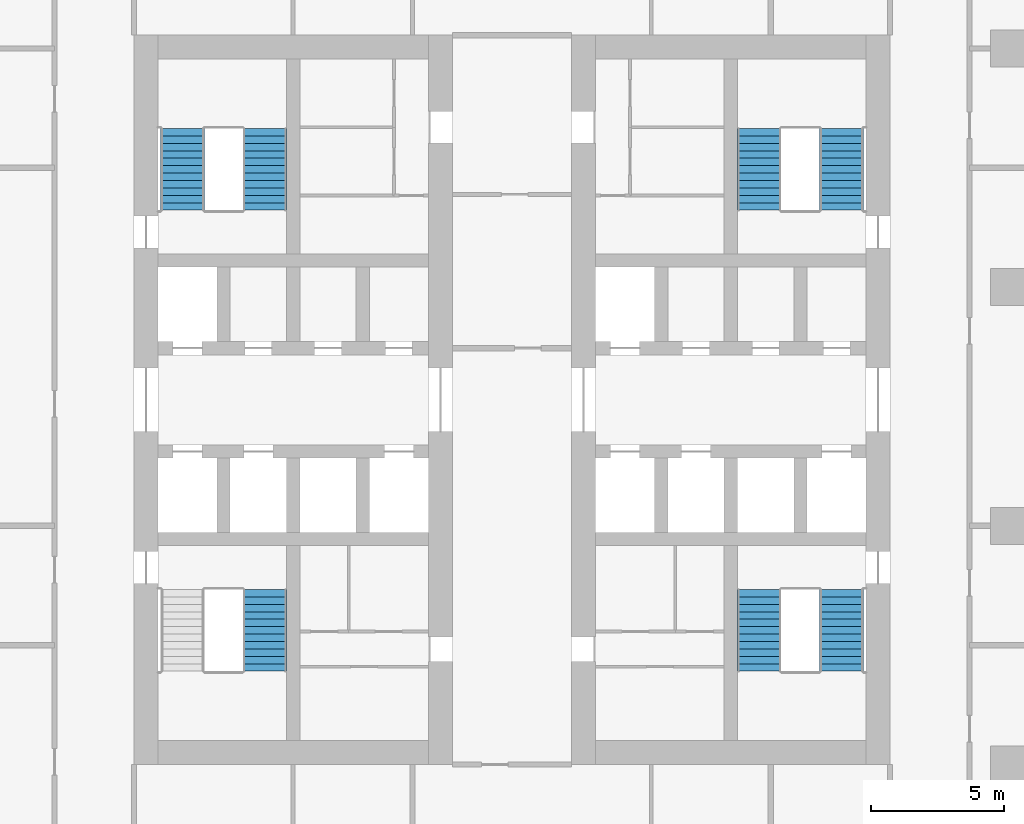
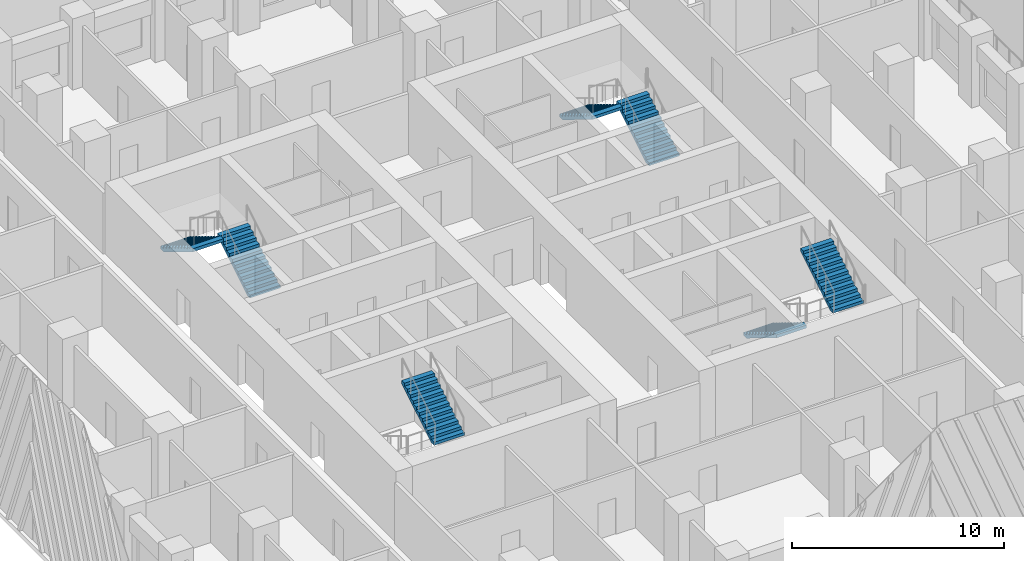
# One storey, part 10 of 20: 7 stair flights, 4 elements without a shape of their own.
"""IFC4 building model written with IfcOpenShell, lengths in metres."""

from ifc_helpers import new_model, si_unit, direction, frame, origin, place, context, subcontext, project, spatial, polyline, outline, extrude, material, type_object, element, aggregate, save


model = new_model("IFC4")

# Units and contexts
model_context = context("Model", 3, precision=1e-05, world=origin(), true_north=direction((0.0, 1.0)))
body_context = subcontext(model_context, "Body", "Model", "MODEL_VIEW")
ifc_project = project(units=[si_unit("LENGTHUNIT", "METRE"), si_unit("AREAUNIT", "SQUARE_METRE"), si_unit("VOLUMEUNIT", "CUBIC_METRE"), si_unit("PLANEANGLEUNIT", "RADIAN"), si_unit("MASSUNIT", "GRAM", prefix="KILO")], contexts=[model_context])

# Site, building, storey
site_placement = place(None, origin())
site = spatial("IfcSite", under=ifc_project, at=site_placement, CompositionType="ELEMENT")
building_placement = place(site_placement, origin())
building = spatial("IfcBuilding", under=site, at=building_placement, Name="Corbel Stack Research Tower", CompositionType="ELEMENT")
storey_placement = place(building_placement, frame((0.0, 0.0, 106.60009765625)))
storey = spatial("IfcBuildingStorey", under=building, at=storey_placement, Name="L24", CompositionType="ELEMENT", Elevation=106.60009765625)

# Stair, stair flight
ifc_material_1 = material(Name="Concrete C40/50", Category="concrete")
stair_type = type_object("IfcStairType", Name="Exit stair 24 risers", PredefinedType="HALF_TURN_STAIR", material=ifc_material_1)
stair_1_placement = place(storey_placement, origin())
stair_1 = element("IfcStair", 1, at=stair_1_placement, inside=storey, type_object=stair_type, Name="L24 Exit stair ST-W1", PredefinedType="HALF_TURN_STAIR")
ifc_material_2 = material(Name="Concrete C40/50", Category="concrete")
stair_flight_type = type_object("IfcStairFlightType", Name="Stair flight 12 risers", PredefinedType="STRAIGHT", material=ifc_material_2)
stair_flight_1_placement = place(storey_placement, frame((-5.574951171875, -5.47998046875, 2.0498046875), z_axis=(0.0, 0.0, 1.0), x_axis=(0.0, 1.0, 0.0)))
stair_flight_1 = element("IfcStairFlight", 2, at=stair_flight_1_placement, type_object=stair_flight_type, Name="ST-W1 flight 2", NumberOfRisers=12, NumberOfTreads=11, PredefinedType="STRAIGHT", RiserHeight=0.170833333, TreadLength=0.28, context=body_context, shape_type="SweptSolid", body=[
    extrude(outline(polyline([(0.0, 0.0), (0.0, 0.1708984375), (0.280029296875, 0.1708984375), (0.280029296875, 0.341552734375), (0.56005859375, 0.341552734375), (0.56005859375, 0.512451171875), (0.840087890625, 0.512451171875), (0.840087890625, 0.683349609375), (1.1201171875, 0.683349609375), (1.1201171875, 0.854248046875), (1.39990234375, 0.854248046875), (1.39990234375, 1.02490234375), (1.679931640625, 1.02490234375), (1.679931640625, 1.19580078125), (1.9599609375, 1.19580078125), (1.9599609375, 1.36669921875), (2.239990234375, 1.36669921875), (2.239990234375, 1.53759765625), (2.52001953125, 1.53759765625), (2.52001953125, 1.708251953125), (2.800048828125, 1.708251953125), (2.800048828125, 1.879150390625), (3.080078125, 1.879150390625), (3.080078125, 2.050048828125), (3.080078125, 1.70361328125), (0.287841796875, 0.0), (0.0, 0.0)])), frame((0.0, 0.824951171875, 0.0), z_axis=(0.0, -1.0, 0.0), x_axis=(1.0, 0.0, 0.0)), (0.0, 0.0, 1.0), 1.64990234375),
])
aggregate(stair_1, [stair_flight_1])

# Stair, stair flights
stair_2_placement = place(storey_placement, origin())
stair_2 = element("IfcStair", 3, at=stair_2_placement, inside=storey, type_object=stair_type, Name="L24 Exit stair ST-W2", PredefinedType="HALF_TURN_STAIR")
stair_flight_2_placement = place(storey_placement, frame((-5.574951171875, 11.89990234375, 0.0), z_axis=(0.0, 0.0, 1.0), x_axis=(0.0, 1.0, 0.0)))
stair_flight_2 = element("IfcStairFlight", 4, at=stair_flight_2_placement, type_object=stair_flight_type, Name="ST-W2 flight 1", NumberOfRisers=12, NumberOfTreads=11, PredefinedType="STRAIGHT", RiserHeight=0.170833333, TreadLength=0.28, context=body_context, shape_type="SweptSolid", body=[
    extrude(outline(polyline([(0.0, 0.0), (0.0, 0.1708984375), (0.280029296875, 0.1708984375), (0.280029296875, 0.341552734375), (0.56005859375, 0.341552734375), (0.56005859375, 0.512451171875), (0.840087890625, 0.512451171875), (0.840087890625, 0.683349609375), (1.1201171875, 0.683349609375), (1.1201171875, 0.854248046875), (1.39990234375, 0.854248046875), (1.39990234375, 1.02490234375), (1.679931640625, 1.02490234375), (1.679931640625, 1.19580078125), (1.9599609375, 1.19580078125), (1.9599609375, 1.36669921875), (2.239990234375, 1.36669921875), (2.239990234375, 1.53759765625), (2.52001953125, 1.53759765625), (2.52001953125, 1.708251953125), (2.800048828125, 1.708251953125), (2.800048828125, 1.879150390625), (3.080078125, 1.879150390625), (3.080078125, 2.050048828125), (3.080078125, 1.70361328125), (0.287841796875, 0.0), (0.0, 0.0)])), frame((0.0, 0.824951171875, 0.0), z_axis=(0.0, -1.0, 0.0), x_axis=(1.0, 0.0, 0.0)), (0.0, 0.0, 1.0), 1.64990234375),
])
stair_flight_3_placement = place(storey_placement, frame((-8.675048828125, 14.97998046875, 2.0498046875), z_axis=(0.0, 0.0, 1.0), x_axis=(0.0, -1.0, 0.0)))
stair_flight_3 = element("IfcStairFlight", 5, at=stair_flight_3_placement, type_object=stair_flight_type, Name="ST-W2 flight 2", NumberOfRisers=12, NumberOfTreads=11, PredefinedType="STRAIGHT", RiserHeight=0.170833333, TreadLength=0.28, context=body_context, shape_type="SweptSolid", body=[
    extrude(outline(polyline([(0.0, 0.0), (0.0, 0.1708984375), (0.280029296875, 0.1708984375), (0.280029296875, 0.341552734375), (0.56005859375, 0.341552734375), (0.56005859375, 0.512451171875), (0.840087890625, 0.512451171875), (0.840087890625, 0.683349609375), (1.1201171875, 0.683349609375), (1.1201171875, 0.854248046875), (1.39990234375, 0.854248046875), (1.39990234375, 1.02490234375), (1.679931640625, 1.02490234375), (1.679931640625, 1.19580078125), (1.9599609375, 1.19580078125), (1.9599609375, 1.36669921875), (2.239990234375, 1.36669921875), (2.239990234375, 1.53759765625), (2.52001953125, 1.53759765625), (2.52001953125, 1.708251953125), (2.800048828125, 1.708251953125), (2.800048828125, 1.879150390625), (3.080078125, 1.879150390625), (3.080078125, 2.050048828125), (3.080078125, 1.70361328125), (0.287841796875, 0.0), (0.0, 0.0)])), frame((0.0, 0.824951171875, 0.0), z_axis=(0.0, -1.0, 0.0), x_axis=(1.0, 0.0, 0.0)), (0.0, 0.0, 1.0), 1.64990234375),
])
aggregate(stair_2, [stair_flight_2, stair_flight_3])

stair_3_placement = place(storey_placement, origin())
stair_3 = element("IfcStair", 6, at=stair_3_placement, inside=storey, type_object=stair_type, Name="L24 Exit stair ST-E1", PredefinedType="HALF_TURN_STAIR")
stair_flight_4_placement = place(storey_placement, frame((13.074951171875, -2.39990234375, 0.0), z_axis=(0.0, 0.0, 1.0), x_axis=(0.0, -1.0, 0.0)))
stair_flight_4 = element("IfcStairFlight", 7, at=stair_flight_4_placement, type_object=stair_flight_type, Name="ST-E1 flight 1", NumberOfRisers=12, NumberOfTreads=11, PredefinedType="STRAIGHT", RiserHeight=0.170833333, TreadLength=0.28, context=body_context, shape_type="SweptSolid", body=[
    extrude(outline(polyline([(0.0, 0.0), (0.0, 0.1708984375), (0.280029296875, 0.1708984375), (0.280029296875, 0.341552734375), (0.56005859375, 0.341552734375), (0.56005859375, 0.512451171875), (0.840087890625, 0.512451171875), (0.840087890625, 0.683349609375), (1.1201171875, 0.683349609375), (1.1201171875, 0.854248046875), (1.39990234375, 0.854248046875), (1.39990234375, 1.02490234375), (1.679931640625, 1.02490234375), (1.679931640625, 1.19580078125), (1.9599609375, 1.19580078125), (1.9599609375, 1.36669921875), (2.239990234375, 1.36669921875), (2.239990234375, 1.53759765625), (2.52001953125, 1.53759765625), (2.52001953125, 1.708251953125), (2.800048828125, 1.708251953125), (2.800048828125, 1.879150390625), (3.080078125, 1.879150390625), (3.080078125, 2.050048828125), (3.080078125, 1.70361328125), (0.287841796875, 0.0), (0.0, 0.0)])), frame((0.0, 0.824951171875, 0.0), z_axis=(0.0, -1.0, 0.0), x_axis=(1.0, 0.0, 0.0)), (0.0, 0.0, 1.0), 1.64990234375),
])
stair_flight_5_placement = place(storey_placement, frame((16.175048828125, -5.47998046875, 2.0498046875), z_axis=(0.0, 0.0, 1.0), x_axis=(0.0, 1.0, 0.0)))
stair_flight_5 = element("IfcStairFlight", 8, at=stair_flight_5_placement, type_object=stair_flight_type, Name="ST-E1 flight 2", NumberOfRisers=12, NumberOfTreads=11, PredefinedType="STRAIGHT", RiserHeight=0.170833333, TreadLength=0.28, context=body_context, shape_type="SweptSolid", body=[
    extrude(outline(polyline([(0.0, 0.0), (0.0, 0.1708984375), (0.280029296875, 0.1708984375), (0.280029296875, 0.341552734375), (0.56005859375, 0.341552734375), (0.56005859375, 0.512451171875), (0.840087890625, 0.512451171875), (0.840087890625, 0.683349609375), (1.1201171875, 0.683349609375), (1.1201171875, 0.854248046875), (1.39990234375, 0.854248046875), (1.39990234375, 1.02490234375), (1.679931640625, 1.02490234375), (1.679931640625, 1.19580078125), (1.9599609375, 1.19580078125), (1.9599609375, 1.36669921875), (2.239990234375, 1.36669921875), (2.239990234375, 1.53759765625), (2.52001953125, 1.53759765625), (2.52001953125, 1.708251953125), (2.800048828125, 1.708251953125), (2.800048828125, 1.879150390625), (3.080078125, 1.879150390625), (3.080078125, 2.050048828125), (3.080078125, 1.70361328125), (0.287841796875, 0.0), (0.0, 0.0)])), frame((0.0, 0.824951171875, 0.0), z_axis=(0.0, -1.0, 0.0), x_axis=(1.0, 0.0, 0.0)), (0.0, 0.0, 1.0), 1.64990234375),
])
aggregate(stair_3, [stair_flight_4, stair_flight_5])

stair_4_placement = place(storey_placement, origin())
stair_4 = element("IfcStair", 9, at=stair_4_placement, inside=storey, type_object=stair_type, Name="L24 Exit stair ST-E2", PredefinedType="HALF_TURN_STAIR")
stair_flight_6_placement = place(storey_placement, frame((16.175048828125, 11.89990234375, 0.0), z_axis=(0.0, 0.0, 1.0), x_axis=(0.0, 1.0, 0.0)))
stair_flight_6 = element("IfcStairFlight", 10, at=stair_flight_6_placement, type_object=stair_flight_type, Name="ST-E2 flight 1", NumberOfRisers=12, NumberOfTreads=11, PredefinedType="STRAIGHT", RiserHeight=0.170833333, TreadLength=0.28, context=body_context, shape_type="SweptSolid", body=[
    extrude(outline(polyline([(0.0, 0.0), (0.0, 0.1708984375), (0.280029296875, 0.1708984375), (0.280029296875, 0.341552734375), (0.56005859375, 0.341552734375), (0.56005859375, 0.512451171875), (0.840087890625, 0.512451171875), (0.840087890625, 0.683349609375), (1.1201171875, 0.683349609375), (1.1201171875, 0.854248046875), (1.39990234375, 0.854248046875), (1.39990234375, 1.02490234375), (1.679931640625, 1.02490234375), (1.679931640625, 1.19580078125), (1.9599609375, 1.19580078125), (1.9599609375, 1.36669921875), (2.239990234375, 1.36669921875), (2.239990234375, 1.53759765625), (2.52001953125, 1.53759765625), (2.52001953125, 1.708251953125), (2.800048828125, 1.708251953125), (2.800048828125, 1.879150390625), (3.080078125, 1.879150390625), (3.080078125, 2.050048828125), (3.080078125, 1.70361328125), (0.287841796875, 0.0), (0.0, 0.0)])), frame((0.0, 0.824951171875, 0.0), z_axis=(0.0, -1.0, 0.0), x_axis=(1.0, 0.0, 0.0)), (0.0, 0.0, 1.0), 1.64990234375),
])
stair_flight_7_placement = place(storey_placement, frame((13.074951171875, 14.97998046875, 2.0498046875), z_axis=(0.0, 0.0, 1.0), x_axis=(0.0, -1.0, 0.0)))
stair_flight_7 = element("IfcStairFlight", 11, at=stair_flight_7_placement, type_object=stair_flight_type, Name="ST-E2 flight 2", NumberOfRisers=12, NumberOfTreads=11, PredefinedType="STRAIGHT", RiserHeight=0.170833333, TreadLength=0.28, context=body_context, shape_type="SweptSolid", body=[
    extrude(outline(polyline([(0.0, 0.0), (0.0, 0.1708984375), (0.280029296875, 0.1708984375), (0.280029296875, 0.341552734375), (0.56005859375, 0.341552734375), (0.56005859375, 0.512451171875), (0.840087890625, 0.512451171875), (0.840087890625, 0.683349609375), (1.1201171875, 0.683349609375), (1.1201171875, 0.854248046875), (1.39990234375, 0.854248046875), (1.39990234375, 1.02490234375), (1.679931640625, 1.02490234375), (1.679931640625, 1.19580078125), (1.9599609375, 1.19580078125), (1.9599609375, 1.36669921875), (2.239990234375, 1.36669921875), (2.239990234375, 1.53759765625), (2.52001953125, 1.53759765625), (2.52001953125, 1.708251953125), (2.800048828125, 1.708251953125), (2.800048828125, 1.879150390625), (3.080078125, 1.879150390625), (3.080078125, 2.050048828125), (3.080078125, 1.70361328125), (0.287841796875, 0.0), (0.0, 0.0)])), frame((0.0, 0.824951171875, 0.0), z_axis=(0.0, -1.0, 0.0), x_axis=(1.0, 0.0, 0.0)), (0.0, 0.0, 1.0), 1.64990234375),
])
aggregate(stair_4, [stair_flight_6, stair_flight_7])

save(model, "model.ifc")
